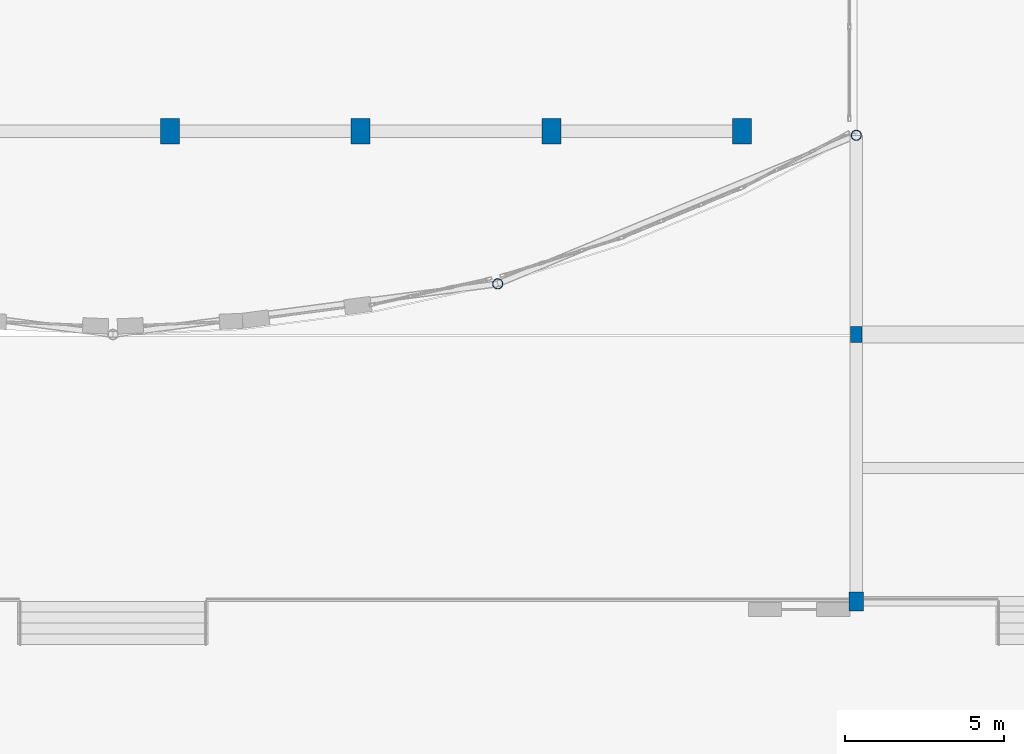
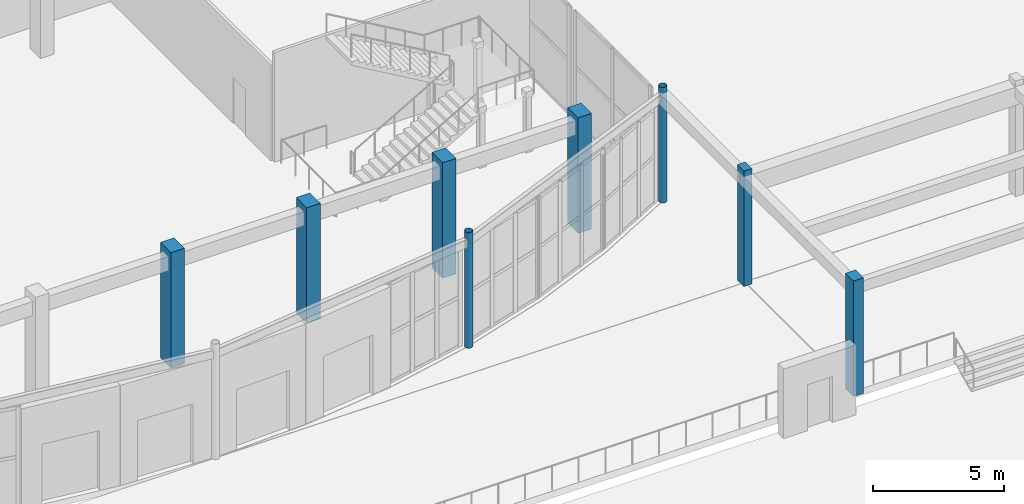
# One storey, part 2 of 98: 8 columns.
"""IFC4 building model written with IfcOpenShell, lengths in metres."""

from ifc_helpers import new_model, si_unit, direction, frame, origin, origin_2d, place, context, subcontext, project, spatial, rectangle, hollow_circle, extrude, material, material_profile, profile_set, type_object, element, save


model = new_model("IFC4")

# Units and contexts
model_context = context("Model", 3, precision=1e-05, world=origin(), true_north=direction((0.0, 1.0)))
body_context = subcontext(model_context, "Body", "Model", "MODEL_VIEW")
ifc_project = project(units=[si_unit("LENGTHUNIT", "METRE"), si_unit("AREAUNIT", "SQUARE_METRE"), si_unit("VOLUMEUNIT", "CUBIC_METRE"), si_unit("PLANEANGLEUNIT", "RADIAN"), si_unit("MASSUNIT", "GRAM", prefix="KILO")], contexts=[model_context])

# Site, building, storey
site_placement = place(None, origin())
site = spatial("IfcSite", under=ifc_project, at=site_placement, CompositionType="ELEMENT")
building_placement = place(site_placement, origin())
building = spatial("IfcBuilding", under=site, at=building_placement, Name="Tarnavel Promenade Courthouse", CompositionType="ELEMENT")
storey_placement = place(building_placement, origin())
storey = spatial("IfcBuildingStorey", under=building, at=storey_placement, Name="L01", CompositionType="ELEMENT", Elevation=0.0)

# Columns
ifc_material_1 = material(Name="Concrete C40/50", Category="concrete")
ifc_material_profile_1 = material_profile(ifc_material_1, rectangle(XDim=0.35009765625, YDim=0.5, at=origin_2d()), Name="RC 350x500")
ifc_profile_set_1 = profile_set([ifc_material_profile_1], Name="Concrete C40/50")
column_type_1 = type_object("IfcColumnType", Name="Concrete C40/50 COL-PIL-350x500 (RC 350x500)", PredefinedType="PILASTER", material=ifc_profile_set_1)
column_1_placement = place(storey_placement, frame((55.199951171875, 8.39990234375, 0.0), z_axis=(0.0, 0.0, 1.0), x_axis=(1.0, 0.0, 0.0)))
element("IfcColumn", 1, at=column_1_placement, inside=storey, type_object=column_type_1, Name="L01 Structural Column 1095", PredefinedType="PILASTER", context=body_context, shape_type="SweptSolid", body=[
    extrude(rectangle(XDim=0.35009765625, YDim=0.5, at=origin_2d()), origin(), (0.0, 0.0, 1.0), 5.39990234375),
])
ifc_material_profile_2 = material_profile(ifc_material_1, rectangle(XDim=0.449951171875, YDim=0.60009765625, at=origin_2d()), Name="RC 450x600")
ifc_profile_set_2 = profile_set([ifc_material_profile_2], Name="Concrete C40/50")
column_type_2 = type_object("IfcColumnType", Name="Concrete C40/50 COL-PIL-450x600 (RC 450x600)", PredefinedType="PILASTER", material=ifc_profile_set_2)
column_2_placement = place(storey_placement, frame((55.199951171875, 0.0, 0.0), z_axis=(0.0, 0.0, 1.0), x_axis=(1.0, 0.0, 0.0)))
element("IfcColumn", 2, at=column_2_placement, inside=storey, type_object=column_type_2, Name="L01 Structural Column 1093", PredefinedType="PILASTER", context=body_context, shape_type="SweptSolid", body=[
    extrude(rectangle(XDim=0.449951171875, YDim=0.60009765625, at=origin_2d()), origin(), (0.0, 0.0, 1.0), 5.39990234375),
])
ifc_material_profile_3 = material_profile(ifc_material_1, rectangle(XDim=0.60009765625, YDim=0.800048828125, at=origin_2d()), Name="RC 600x800")
ifc_profile_set_3 = profile_set([ifc_material_profile_3], Name="Concrete C40/50")
column_type_3 = type_object("IfcColumnType", Name="Concrete C40/50 COL-RC600x800 (RC 600x800)", PredefinedType="COLUMN", material=ifc_profile_set_3)
for number, where, z_axis, x_axis, name in (
    (3, (33.60009765625, 14.800048828125, 0.0), (0.0, 0.0, 1.0), (1.0, 0.0, 0.0), "L01 Structural Column 0679"),
    (4, (39.60009765625, 14.800048828125, 0.0), (0.0, 0.0, 1.0), (1.0, 0.0, 0.0), "L01 Structural Column 0687"),
    (5, (45.60009765625, 14.800048828125, 0.0), (0.0, 0.0, 1.0), (1.0, 0.0, 0.0), "L01 Structural Column 0695"),
    (6, (51.60009765625, 14.800048828125, 0.0), (0.0, 0.0, 1.0), (1.0, 0.0, 0.0), "L01 Structural Column 0703"),
):
    element("IfcColumn", number, at=place(storey_placement, frame(where, z_axis=z_axis, x_axis=x_axis)), inside=storey, type_object=column_type_3, Name=name, PredefinedType="COLUMN", context=body_context, shape_type="SweptSolid", body=[
        extrude(rectangle(XDim=0.60009765625, YDim=0.800048828125, at=origin_2d()), origin(), (0.0, 0.0, 1.0), 5.39990234375),
    ])
ifc_material_2 = material(Name="Steel S355J2", Category="steel")
ifc_material_profile_4 = material_profile(ifc_material_2, hollow_circle(Radius=0.161865234375, WallThickness=0.012451171875, at=origin_2d()), Name="CHS 323.9x12.5")
ifc_profile_set_4 = profile_set([ifc_material_profile_4], Name="Steel S355J2")
column_type_4 = type_object("IfcColumnType", Name="Steel S355J2 COL-STL-CHS324 (CHS 323.9x12.5)", PredefinedType="COLUMN", material=ifc_profile_set_4)
for number, where, z_axis, x_axis, name in (
    (7, (43.91259765625, 9.99462890625, 0.0), (0.0, 0.0, 1.0), (1.0, 0.0, 0.0), "L01 Structural Column 0719"),
    (8, (55.199951171875, 14.669921875, 0.0), (0.0, 0.0, 1.0), (1.0, 0.0, 0.0), "L01 Structural Column 0723"),
):
    element("IfcColumn", number, at=place(storey_placement, frame(where, z_axis=z_axis, x_axis=x_axis)), inside=storey, type_object=column_type_4, Name=name, PredefinedType="COLUMN", context=body_context, shape_type="SweptSolid", body=[
        extrude(hollow_circle(Radius=0.161865234375, WallThickness=0.012451171875, at=origin_2d()), origin(), (0.0, 0.0, 1.0), 5.39990234375),
    ])

save(model, "model.ifc")
